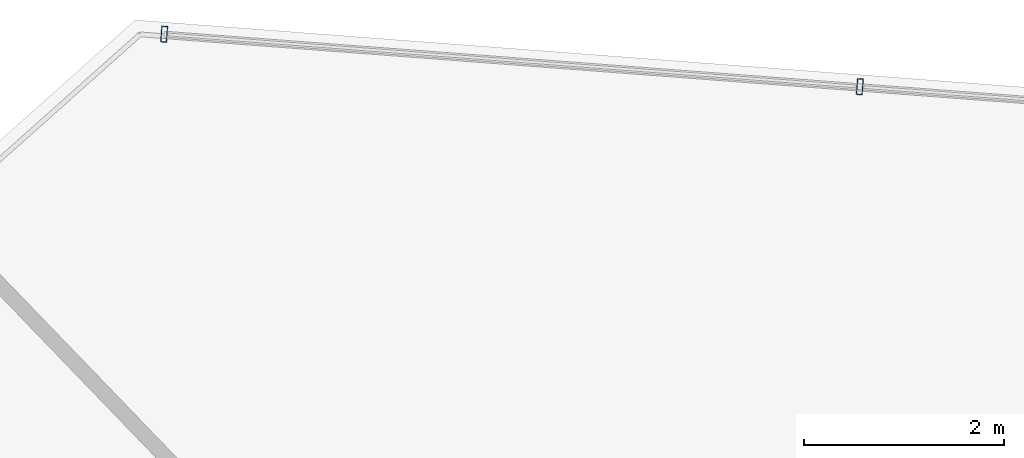
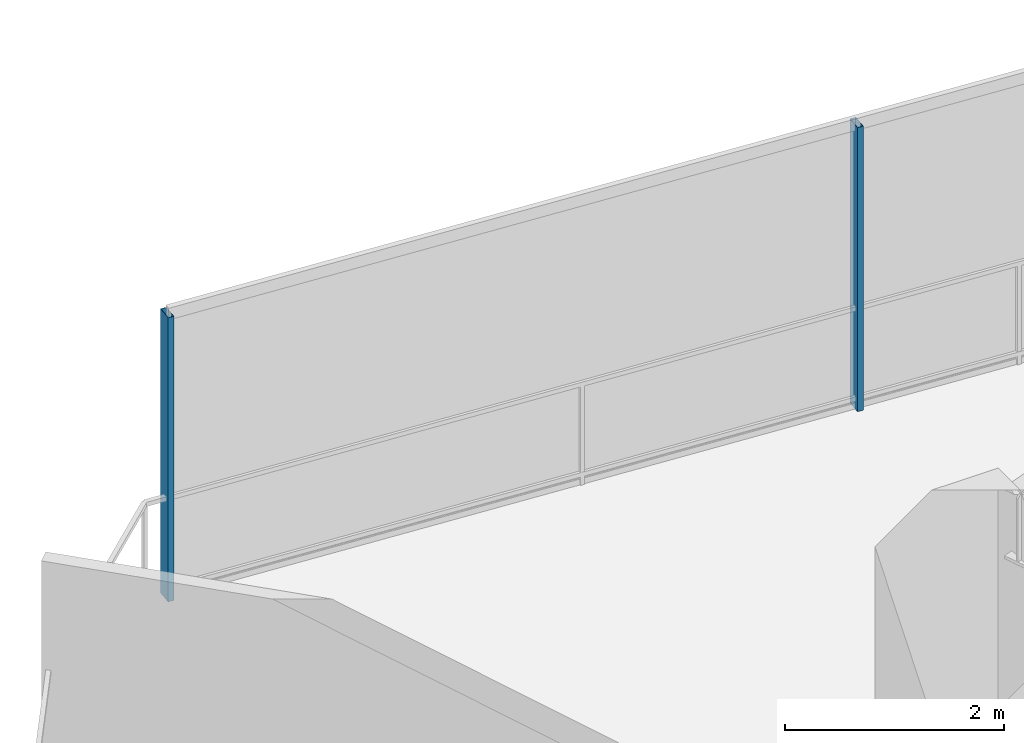
# One storey, part 18 of 30: 2 members, 1 element without a shape of its own.
"""IFC4 building model written with IfcOpenShell, lengths in metres."""

from ifc_helpers import new_model, si_unit, direction, frame, origin, origin_2d, place, context, subcontext, project, spatial, hollow_rectangle, extrude, material, layer, layer_set, material_profile, profile_set, type_object, element, aggregate, save


model = new_model("IFC4")

# Units and contexts
model_context = context("Model", 3, precision=1e-05, world=origin(), true_north=direction((0.0, 1.0)))
body_context = subcontext(model_context, "Body", "Model", "MODEL_VIEW")
ifc_project = project(units=[si_unit("LENGTHUNIT", "METRE"), si_unit("AREAUNIT", "SQUARE_METRE"), si_unit("VOLUMEUNIT", "CUBIC_METRE"), si_unit("PLANEANGLEUNIT", "RADIAN"), si_unit("MASSUNIT", "GRAM", prefix="KILO")], contexts=[model_context])

# Site, building, storey
site_placement = place(None, origin())
site = spatial("IfcSite", under=ifc_project, at=site_placement, CompositionType="ELEMENT")
building_placement = place(site_placement, origin())
building = spatial("IfcBuilding", under=site, at=building_placement, Name="Qarnah Convention Tower", CompositionType="ELEMENT")
storey_placement = place(building_placement, frame((0.0, 0.0, 51.14990234375)))
storey = spatial("IfcBuildingStorey", under=building, at=storey_placement, Name="L12", CompositionType="ELEMENT", Elevation=51.14990234375)

# Curtain wall, members
ifc_material_1 = material(Name="Tempered Low-E dark glass", Category="glass")
ifc_layer = layer(ifc_material_1, 0.16796875)
ifc_layer_set = layer_set([ifc_layer], Name="Tempered Low-E dark glass")
curtain_wall_type = type_object("IfcCurtainWallType", Name="CWS-01", PredefinedType="NOTDEFINED", material=ifc_layer_set)
curtain_wall_placement = place(storey_placement, origin())
curtain_wall = element("IfcCurtainWall", 1, at=curtain_wall_placement, inside=storey, type_object=curtain_wall_type, Name="L12 unitised curtain wall CW-L12-F2", PredefinedType="NOTDEFINED")
ifc_material_2 = material(Name="Black anodised aluminium", Category="aluminium")
ifc_material_profile = material_profile(ifc_material_2, hollow_rectangle(XDim=0.06005859375, YDim=0.159912109375, WallThickness=0.00390625, at=origin_2d()), Name="MUL-60X160")
ifc_profile_set = profile_set([ifc_material_profile], Name="Black anodised aluminium")
member_type = type_object("IfcMemberType", Name="MUL-T1", PredefinedType="MULLION", material=ifc_profile_set)
member_1_placement = place(storey_placement, frame((22.323974609375, 46.035888671875, 0.0), z_axis=(0.0, 0.0, 1.0), x_axis=(0.997159055393, -0.07532475189, 0.0)))
member_1 = element("IfcMember", 2, at=member_1_placement, type_object=member_type, Name="CW-L12-F2 mullion 1", PredefinedType="MULLION", context=body_context, shape_type="SweptSolid", body=[
    extrude(hollow_rectangle(XDim=0.06005859375, YDim=0.159912109375, WallThickness=0.00390625, at=origin_2d()), origin(), (0.0, 0.0, 1.0), 3.170166015625),
])
member_2_placement = place(storey_placement, frame((29.295166015625, 45.509521484375, 0.0), z_axis=(0.0, 0.0, 1.0), x_axis=(0.997159055393, -0.07532475189, 0.0)))
member_2 = element("IfcMember", 3, at=member_2_placement, type_object=member_type, Name="CW-L12-F2 mullion 2", PredefinedType="MULLION", context=body_context, shape_type="SweptSolid", body=[
    extrude(hollow_rectangle(XDim=0.06005859375, YDim=0.159912109375, WallThickness=0.00390625, at=origin_2d()), origin(), (0.0, 0.0, 1.0), 3.170166015625),
])
aggregate(curtain_wall, [member_1, member_2])

save(model, "model.ifc")
